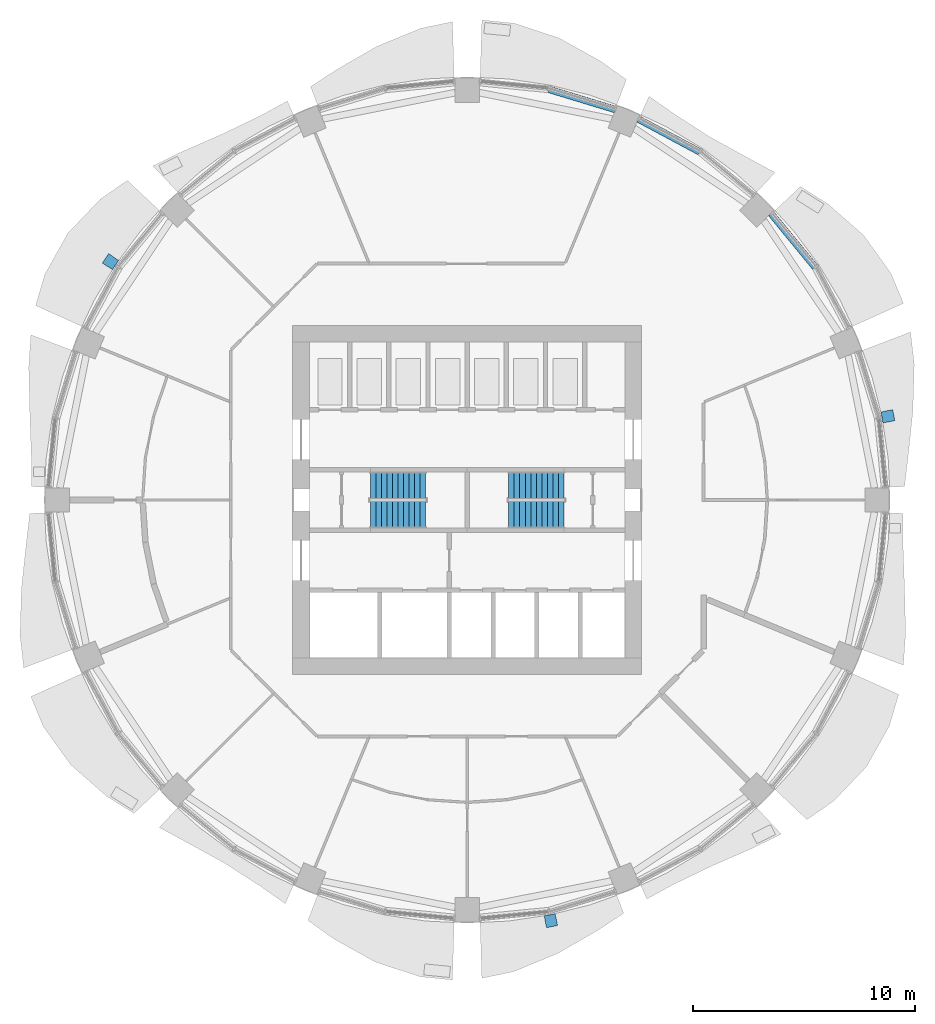
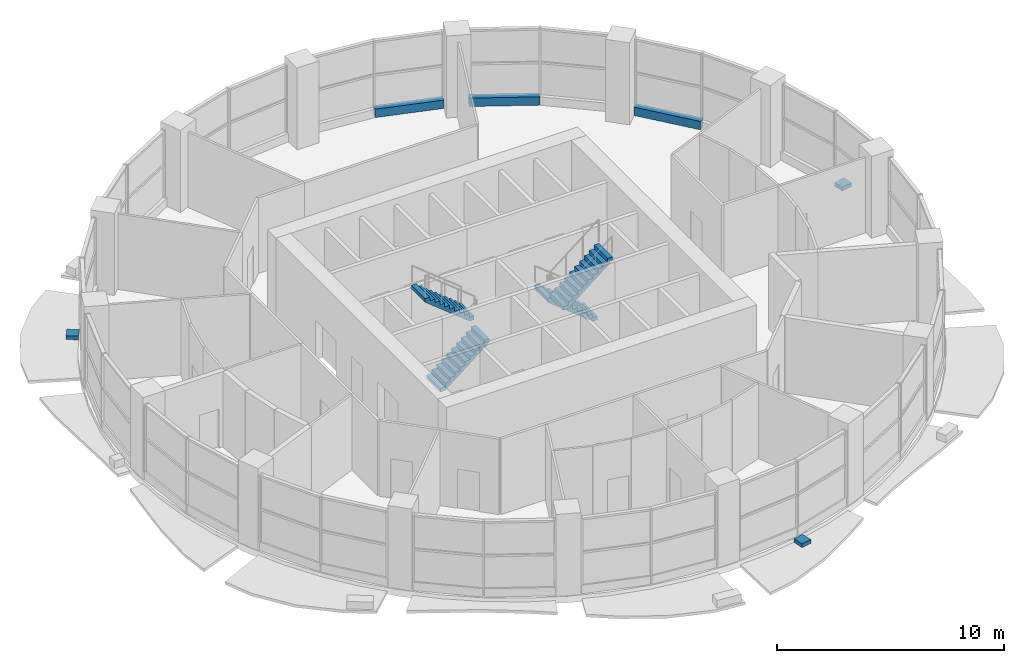
# One storey, part 9 of 13: 4 stair flights, 3 discrete accessories, 3 walls, 2 elements without a shape of their own.
"""IFC4 building model written with IfcOpenShell, lengths in metres."""

import ifcopenshell
import ifcopenshell.guid

model = None  # the IFC model being written
_history = None  # IfcOwnerHistory: only IFC2X3 demands one
_inside = {}  # id of a spatial element -> (the spatial element, [elements in it])
_under = {}  # id of a project, library or spatial element -> (it, [spatial elements below it])
_declared = {}  # id of a project -> (the project, [libraries it declares])
_typed = {}  # id of a type object -> (the type object, [elements of that type])
_made_of = {}  # id of a material, layer set ... -> (it, [elements and type objects made of it])


def new_model(schema):
    """Start an empty IFC model of exactly this schema.

    Asked for "IFC4X3", IfcOpenShell would pick the latest addendum, in which some entities
    have other attributes; the version numbers below select the first issue.
    IFC2X3 requires an IfcOwnerHistory on every rooted entity: one is made here for all.
    """
    global model, _history
    if schema == "IFC4X3":
        model = ifcopenshell.file(schema_version=(4, 3, 0, 0))
    else:
        model = ifcopenshell.file(schema=schema)
    _inside.clear()
    _under.clear()
    _declared.clear()
    _typed.clear()
    _made_of.clear()
    _history = None
    if model.schema == "IFC2X3":
        org = make("IfcOrganization", Name="unknown")
        user = make(
            "IfcPersonAndOrganization",
            ThePerson=make("IfcPerson", FamilyName="unknown"),
            TheOrganization=org,
        )
        app = make(
            "IfcApplication",
            ApplicationDeveloper=org,
            Version="unknown",
            ApplicationFullName="unknown",
            ApplicationIdentifier="unknown",
        )
        _history = make(
            "IfcOwnerHistory",
            OwningUser=user,
            OwningApplication=app,
            ChangeAction="ADDED",
            CreationDate=0,
        )
    return model


def make(cls, **values):
    """One entity of the class cls with the attributes given. An attribute that is None is left unset."""
    return model.create_entity(
        cls, **{name: value for name, value in values.items() if value is not None}
    )


def rooted(cls, **values):
    """An entity with a GlobalId (a new one), such as an element, a storey or a relation."""
    return make(cls, GlobalId=ifcopenshell.guid.new(), OwnerHistory=_history, **values)


def si_unit(unit_type, name, prefix=None):
    """IfcSIUnit, for example si_unit("LENGTHUNIT", "METRE", prefix="MILLI")."""
    return make("IfcSIUnit", UnitType=unit_type, Prefix=prefix, Name=name)


def assignment(units):
    """IfcUnitAssignment: the units of a project."""
    return None if units is None else make("IfcUnitAssignment", Units=units)


def point(xyz):
    """IfcCartesianPoint."""
    return None if xyz is None else make("IfcCartesianPoint", Coordinates=xyz)


def direction(xyz):
    """IfcDirection."""
    return None if xyz is None else make("IfcDirection", DirectionRatios=xyz)


def frame(location, z_axis=None, x_axis=None):
    """IfcAxis2Placement3D, a coordinate frame: its origin and axes. An axis left out is left unset."""
    return make(
        "IfcAxis2Placement3D",
        Location=point(location),
        Axis=direction(z_axis),
        RefDirection=direction(x_axis),
    )


def frame_2d(location, x_axis=None):
    """IfcAxis2Placement2D, a coordinate frame in the plane: its origin and x axis."""
    return make(
        "IfcAxis2Placement2D", Location=point(location), RefDirection=direction(x_axis)
    )


def origin():
    """The frame at (0, 0, 0) with its axes left unset."""
    return frame((0.0, 0.0, 0.0))


def place(relative_to, where):
    """IfcLocalPlacement: puts the frame where relative to a parent placement (None: the world)."""
    return make(
        "IfcLocalPlacement", PlacementRelTo=relative_to, RelativePlacement=where
    )


def context(
    kind, dimensions, precision=None, world=None, true_north=None, identifier=None
):
    """IfcGeometricRepresentationContext, for example the 3D "Model" context."""
    return make(
        "IfcGeometricRepresentationContext",
        ContextIdentifier=identifier,
        ContextType=kind,
        CoordinateSpaceDimension=dimensions,
        Precision=precision,
        WorldCoordinateSystem=world,
        TrueNorth=true_north,
    )


def subcontext(parent, identifier, kind, view, scale=None):
    """IfcGeometricRepresentationSubContext, for example "Body" below "Model"."""
    return make(
        "IfcGeometricRepresentationSubContext",
        ContextIdentifier=identifier,
        ContextType=kind,
        ParentContext=parent,
        TargetScale=scale,
        TargetView=view,
    )


def project(units=None, contexts=None):
    """IfcProject with its units and contexts."""
    return rooted(
        "IfcProject",
        Name="project",
        RepresentationContexts=contexts,
        UnitsInContext=assignment(units),
    )


def spatial(cls, under=None, at=None, **own):
    """A site, building, storey or space (cls), placed at a placement, below another one or the project."""
    s = rooted(cls, ObjectPlacement=at, **own)
    if under is not None:
        _under.setdefault(under.id(), (under, []))[1].append(s)
    return s


def polyline(points):
    """IfcPolyline through the points."""
    return make("IfcPolyline", Points=[point(p) for p in points])


def profile(cls, at=None, kind="AREA", **sizes):
    """A parametric profile (cls). Its sizes go by their IFC names, for example OverallWidth=200.0."""
    return make(cls, ProfileType=kind, Position=at, **sizes)


def rectangle(**sizes):
    """IfcRectangleProfileDef."""
    return profile("IfcRectangleProfileDef", **sizes)


def outline(outer, holes=None, kind="AREA"):
    """IfcArbitraryClosedProfileDef: a profile drawn as a closed curve; with holes, ...WithVoids."""
    if holes is None:
        return make("IfcArbitraryClosedProfileDef", ProfileType=kind, OuterCurve=outer)
    return make(
        "IfcArbitraryProfileDefWithVoids",
        ProfileType=kind,
        OuterCurve=outer,
        InnerCurves=holes,
    )


def extrude(swept, where, along, depth):
    """IfcExtrudedAreaSolid: the profile swept, set in the frame where, extruded along a direction by depth."""
    return make(
        "IfcExtrudedAreaSolid",
        SweptArea=swept,
        Position=where,
        ExtrudedDirection=direction(along),
        Depth=depth,
    )


def shape(context_of_items, identifier, shape_type, items):
    """IfcShapeRepresentation: the items that make up one representation, for example the "Body"."""
    return make(
        "IfcShapeRepresentation",
        ContextOfItems=context_of_items,
        RepresentationIdentifier=identifier,
        RepresentationType=shape_type,
        Items=items,
    )


def material(Name=None, Category=None):
    """IfcMaterial."""
    return make("IfcMaterial", Name=Name, Category=Category)


def layer(
    of_material, thickness, ventilated=None, Name=None, Category=None, Priority=None
):
    """IfcMaterialLayer: one layer of a wall or slab, of a material (None: an air gap)."""
    return make(
        "IfcMaterialLayer",
        Material=of_material,
        LayerThickness=thickness,
        IsVentilated=ventilated,
        Name=Name,
        Category=Category,
        Priority=Priority,
    )


def layer_set(layers, Name=None):
    """IfcMaterialLayerSet."""
    return make("IfcMaterialLayerSet", MaterialLayers=layers, LayerSetName=Name)


def made_of(thing, what):
    """Note that an element or type object is made of a material, layer set ...; save() writes the relation."""
    if what is not None:
        _made_of.setdefault(what.id(), (what, []))[1].append(thing)
    return thing


def type_object(cls, material=None, **own):
    """A type object (cls), such as IfcWallType, which elements share."""
    return made_of(rooted(cls, **own), material)


def element(
    cls,
    number,
    at=None,
    inside=None,
    cuts=None,
    type_object=None,
    material=None,
    context=None,
    identifier="Body",
    shape_type=None,
    held_by="IfcProductDefinitionShape",
    body=None,
    shapes=None,
    **own,
):
    """One element of the class cls, such as IfcWall. Its Tag is "e" and its number.

    at: its placement. inside: the storey or other place that contains it. cuts: it is an
    opening in that element (IfcRelVoidsElement). A single representation is given by context,
    identifier, shape_type and body (its items); several are given by shapes. held_by: the class
    of the entity that holds the representations. save() writes the other relations.
    """
    e = rooted(cls, Tag="e%d" % number, ObjectPlacement=at, **own)
    if body is not None:
        shapes = [shape(context, identifier, shape_type, body)]
    if shapes is not None:
        e.Representation = make(held_by, Representations=shapes)
    if inside is not None:
        _inside.setdefault(inside.id(), (inside, []))[1].append(e)
    if cuts is not None:
        rooted(
            "IfcRelVoidsElement", RelatingBuildingElement=cuts, RelatedOpeningElement=e
        )
    if type_object is not None:
        _typed.setdefault(type_object.id(), (type_object, []))[1].append(e)
    return made_of(e, material)


def aggregate(whole, parts):
    """IfcRelAggregates: a whole, such as a stair, and the parts it consists of."""
    return rooted("IfcRelAggregates", RelatingObject=whole, RelatedObjects=parts)


def save(model, path):
    """Write the relations noted so far, then the file.

    IfcRelAggregates (storeys below a building ...), IfcRelContainedInSpatialStructure (elements
    in a storey), IfcRelDefinesByType, IfcRelAssociatesMaterial and IfcRelDeclares: one each for
    every whole, place, type object, material and project.
    """
    for whole, parts in _under.values():
        aggregate(whole, parts)
    for where, things in _inside.values():
        rooted(
            "IfcRelContainedInSpatialStructure",
            RelatedElements=things,
            RelatingStructure=where,
        )
    for kind, things in _typed.values():
        rooted("IfcRelDefinesByType", RelatedObjects=things, RelatingType=kind)
    for what, things in _made_of.values():
        rooted("IfcRelAssociatesMaterial", RelatedObjects=things, RelatingMaterial=what)
    for by, libraries in _declared.values():
        rooted("IfcRelDeclares", RelatingContext=by, RelatedDefinitions=libraries)
    model.write(path)


model = new_model("IFC4")

# Units and contexts
model_context = context("Model", 3, precision=1e-05, world=origin(), true_north=direction((0.0, 1.0)))
body_context = subcontext(model_context, "Body", "Model", "MODEL_VIEW")
ifc_project = project(units=[si_unit("LENGTHUNIT", "METRE"), si_unit("AREAUNIT", "SQUARE_METRE"), si_unit("VOLUMEUNIT", "CUBIC_METRE"), si_unit("PLANEANGLEUNIT", "RADIAN"), si_unit("MASSUNIT", "GRAM", prefix="KILO")], contexts=[model_context])

# Site, building, storey
site_placement = place(None, origin())
site = spatial("IfcSite", under=ifc_project, at=site_placement, CompositionType="ELEMENT")
building_placement = place(site_placement, origin())
building = spatial("IfcBuilding", under=site, at=building_placement, Name="Polderwave Tower", CompositionType="ELEMENT")
storey_placement = place(building_placement, frame((0.0, 0.0, 116.550048828125)))
storey = spatial("IfcBuildingStorey", under=building, at=storey_placement, Name="L30", CompositionType="ELEMENT", Elevation=116.550048828125)

# Walls
ifc_material_1 = material(Name="Concrete C50/60 (board-marked)", Category="concrete")
ifc_layer = layer(ifc_material_1, 0.300048828125)
ifc_layer_set = layer_set([ifc_layer], Name="Concrete spandrel upstand C50/60")
wall_type = type_object("IfcWallType", Name="Concrete spandrel upstand C50/60", PredefinedType="SOLIDWALL", material=ifc_layer_set)
for number, where, z_axis, x_axis, name in (
    (1, (15.70458984375, 10.51171875, 0.0), (0.0, 0.0, 1.0), (-0.634284271422, 0.773099904946, 0.0), "Spandrel L30 2b"),
    (2, (10.48681640625, 15.72119140625, 0.0), (0.0, 0.0, 1.0), (-0.881885165648, 0.471464266524, 0.0), "Spandrel L30 3b"),
):
    element("IfcWall", number, at=place(storey_placement, frame(where, z_axis=z_axis, x_axis=x_axis)), inside=storey, type_object=wall_type, Name=name, PredefinedType="SOLIDWALL", context=body_context, shape_type="SweptSolid", body=[
        extrude(rectangle(XDim=3.12353515625, YDim=0.300048828125, at=frame_2d((1.561767578125, 0.0))), origin(), (0.0, 0.0, 1.0), 0.449951171875),
    ])
wall_placement = place(storey_placement, frame((6.690673828125, 17.62548828125, 0.0), z_axis=(0.0, 0.0, 1.0), x_axis=(-0.956900745699, 0.290415156078, 0.0)))
element("IfcWall", 3, at=wall_placement, inside=storey, type_object=wall_type, Name="Spandrel L30 4a", PredefinedType="SOLIDWALL", context=body_context, shape_type="SweptSolid", body=[
    extrude(rectangle(XDim=3.123779296875, YDim=0.300048828125, at=frame_2d((1.56201171875, 0.0))), origin(), (0.0, 0.0, 1.0), 0.449951171875),
])

# Stair, stair flights
ifc_material_2 = material(Name="Concrete C40/50", Category="concrete")
stair_type = type_object("IfcStairType", Name="Exit stair 1200 x 22 risers", PredefinedType="HALF_TURN_STAIR", material=ifc_material_2)
stair_1_placement = place(storey_placement, origin())
stair_1 = element("IfcStair", 4, at=stair_1_placement, inside=storey, type_object=stair_type, Name="L30 Exit stair A", PredefinedType="HALF_TURN_STAIR")
stair_flight_type = type_object("IfcStairFlightType", Name="Stair flight 1200", PredefinedType="STRAIGHT", material=ifc_material_2)
stair_flight_1_placement = place(storey_placement, frame((-4.3740234375, -0.675048828125, 0.0), z_axis=(0.0, 0.0, 1.0), x_axis=(1.0, 0.0, 0.0)))
stair_flight_1 = element("IfcStairFlight", 5, at=stair_flight_1_placement, type_object=stair_flight_type, Name="ST-A flight 1", NumberOfRisers=11, NumberOfTreads=10, PredefinedType="STRAIGHT", RiserHeight=0.2, TreadLength=0.25, context=body_context, shape_type="SweptSolid", body=[
    extrude(outline(polyline([(0.0, 0.0), (0.0, 0.199951171875), (0.25, 0.199951171875), (0.25, 0.39990234375), (0.5, 0.39990234375), (0.5, 0.60009765625), (0.75, 0.60009765625), (0.75, 0.800048828125), (1.0, 0.800048828125), (1.0, 1.0), (1.25, 1.0), (1.25, 1.199951171875), (1.5, 1.199951171875), (1.5, 1.39990234375), (1.75, 1.39990234375), (1.75, 1.60009765625), (2.0, 1.60009765625), (2.0, 1.800048828125), (2.25, 1.800048828125), (2.25, 2.0), (2.5, 2.0), (2.5, 2.199951171875), (2.5, 1.80810546875), (0.239990234375, 0.0), (0.0, 0.0)])), frame((0.0, 0.60009765625, 0.0), z_axis=(0.0, -1.0, 0.0), x_axis=(1.0, 0.0, 0.0)), (0.0, 0.0, 1.0), 1.199951171875),
])
stair_flight_2_placement = place(storey_placement, frame((-1.8740234375, 0.675048828125, 2.199951171875), z_axis=(0.0, 0.0, 1.0), x_axis=(-1.0, 0.0, 0.0)))
stair_flight_2 = element("IfcStairFlight", 6, at=stair_flight_2_placement, type_object=stair_flight_type, Name="ST-A flight 2", NumberOfRisers=11, NumberOfTreads=10, PredefinedType="STRAIGHT", RiserHeight=0.2, TreadLength=0.25, context=body_context, shape_type="SweptSolid", body=[
    extrude(outline(polyline([(0.0, 0.0), (0.0, 0.199951171875), (0.25, 0.199951171875), (0.25, 0.39990234375), (0.5, 0.39990234375), (0.5, 0.60009765625), (0.75, 0.60009765625), (0.75, 0.800048828125), (1.0, 0.800048828125), (1.0, 1.0), (1.25, 1.0), (1.25, 1.199951171875), (1.5, 1.199951171875), (1.5, 1.39990234375), (1.75, 1.39990234375), (1.75, 1.60009765625), (2.0, 1.60009765625), (2.0, 1.800048828125), (2.25, 1.800048828125), (2.25, 2.0), (2.5, 2.0), (2.5, 2.199951171875), (2.5, 1.80810546875), (0.239990234375, 0.0), (0.0, 0.0)])), frame((0.0, 0.60009765625, 0.0), z_axis=(0.0, -1.0, 0.0), x_axis=(1.0, 0.0, 0.0)), (0.0, 0.0, 1.0), 1.199951171875),
])
aggregate(stair_1, [stair_flight_1, stair_flight_2])

stair_2_placement = place(storey_placement, origin())
stair_2 = element("IfcStair", 7, at=stair_2_placement, inside=storey, type_object=stair_type, Name="L30 Exit stair B", PredefinedType="HALF_TURN_STAIR")
stair_flight_3_placement = place(storey_placement, frame((4.3740234375, 0.675048828125, 0.0), z_axis=(0.0, 0.0, 1.0), x_axis=(-1.0, 0.0, 0.0)))
stair_flight_3 = element("IfcStairFlight", 8, at=stair_flight_3_placement, type_object=stair_flight_type, Name="ST-B flight 1", NumberOfRisers=11, NumberOfTreads=10, PredefinedType="STRAIGHT", RiserHeight=0.2, TreadLength=0.25, context=body_context, shape_type="SweptSolid", body=[
    extrude(outline(polyline([(0.0, 0.0), (0.0, 0.199951171875), (0.25, 0.199951171875), (0.25, 0.39990234375), (0.5, 0.39990234375), (0.5, 0.60009765625), (0.75, 0.60009765625), (0.75, 0.800048828125), (1.0, 0.800048828125), (1.0, 1.0), (1.25, 1.0), (1.25, 1.199951171875), (1.5, 1.199951171875), (1.5, 1.39990234375), (1.75, 1.39990234375), (1.75, 1.60009765625), (2.0, 1.60009765625), (2.0, 1.800048828125), (2.25, 1.800048828125), (2.25, 2.0), (2.5, 2.0), (2.5, 2.199951171875), (2.5, 1.80810546875), (0.239990234375, 0.0), (0.0, 0.0)])), frame((0.0, 0.60009765625, 0.0), z_axis=(0.0, -1.0, 0.0), x_axis=(1.0, 0.0, 0.0)), (0.0, 0.0, 1.0), 1.199951171875),
])
stair_flight_4_placement = place(storey_placement, frame((1.8740234375, -0.675048828125, 2.199951171875), z_axis=(0.0, 0.0, 1.0), x_axis=(1.0, 0.0, 0.0)))
stair_flight_4 = element("IfcStairFlight", 9, at=stair_flight_4_placement, type_object=stair_flight_type, Name="ST-B flight 2", NumberOfRisers=11, NumberOfTreads=10, PredefinedType="STRAIGHT", RiserHeight=0.2, TreadLength=0.25, context=body_context, shape_type="SweptSolid", body=[
    extrude(outline(polyline([(0.0, 0.0), (0.0, 0.199951171875), (0.25, 0.199951171875), (0.25, 0.39990234375), (0.5, 0.39990234375), (0.5, 0.60009765625), (0.75, 0.60009765625), (0.75, 0.800048828125), (1.0, 0.800048828125), (1.0, 1.0), (1.25, 1.0), (1.25, 1.199951171875), (1.5, 1.199951171875), (1.5, 1.39990234375), (1.75, 1.39990234375), (1.75, 1.60009765625), (2.0, 1.60009765625), (2.0, 1.800048828125), (2.25, 1.800048828125), (2.25, 2.0), (2.5, 2.0), (2.5, 2.199951171875), (2.5, 1.80810546875), (0.239990234375, 0.0), (0.0, 0.0)])), frame((0.0, 0.60009765625, 0.0), z_axis=(0.0, -1.0, 0.0), x_axis=(1.0, 0.0, 0.0)), (0.0, 0.0, 1.0), 1.199951171875),
])
aggregate(stair_2, [stair_flight_3, stair_flight_4])

# Discrete accessories
ifc_material_3 = material(Name="Steel S355", Category="steel")
discrete_accessory_type = type_object("IfcDiscreteAccessoryType", Name="Band bracket pad", PredefinedType="BRACKET", material=ifc_material_3)
discrete_accessory_1_placement = place(storey_placement, frame((0.0, 0.0, -0.199951171875)))
element("IfcDiscreteAccessory", 10, at=discrete_accessory_1_placement, inside=storey, type_object=discrete_accessory_type, Name="Band bracket L30 1", PredefinedType="BRACKET", context=body_context, shape_type="SweptSolid", body=[
    extrude(outline(polyline([(18.769775390625, 3.47900390625), (18.73291015625, 3.726318359375), (18.67236328125, 3.96875), (19.210205078125, 4.0830078125), (19.310546875, 3.5791015625), (18.769775390625, 3.47900390625)])), origin(), (0.0, 0.0, 1.0), 0.199951171875),
])
discrete_accessory_2_placement = place(storey_placement, frame((0.0, 0.0, -0.199951171875)))
element("IfcDiscreteAccessory", 11, at=discrete_accessory_2_placement, inside=storey, type_object=discrete_accessory_type, Name="Band bracket L30 7", PredefinedType="BRACKET", context=body_context, shape_type="SweptSolid", body=[
    extrude(outline(polyline([(-15.732177734375, 10.812255859375), (-15.881103515625, 10.611328125), (-16.009521484375, 10.39697265625), (-16.470947265625, 10.696533203125), (-16.185302734375, 11.123779296875), (-15.732177734375, 10.812255859375)])), origin(), (0.0, 0.0, 1.0), 0.199951171875),
])
discrete_accessory_3_placement = place(storey_placement, frame((0.0, 0.0, -0.199951171875)))
element("IfcDiscreteAccessory", 12, at=discrete_accessory_3_placement, inside=storey, type_object=discrete_accessory_type, Name="Band bracket L30 13", PredefinedType="BRACKET", context=body_context, shape_type="SweptSolid", body=[
    extrude(outline(polyline([(3.47900390625, -18.769775390625), (3.726318359375, -18.73291015625), (3.96875, -18.67236328125), (4.0830078125, -19.210205078125), (3.5791015625, -19.310546875), (3.47900390625, -18.769775390625)])), origin(), (0.0, 0.0, 1.0), 0.199951171875),
])

save(model, "model.ifc")
